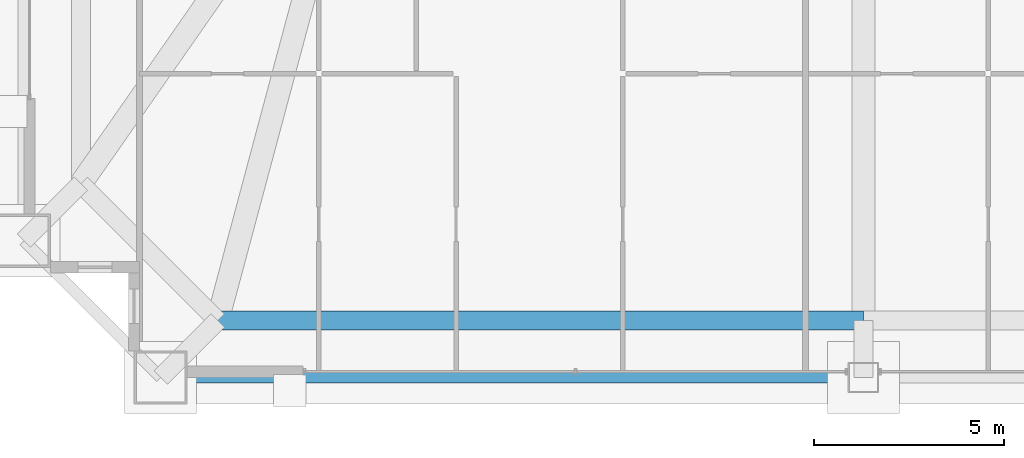
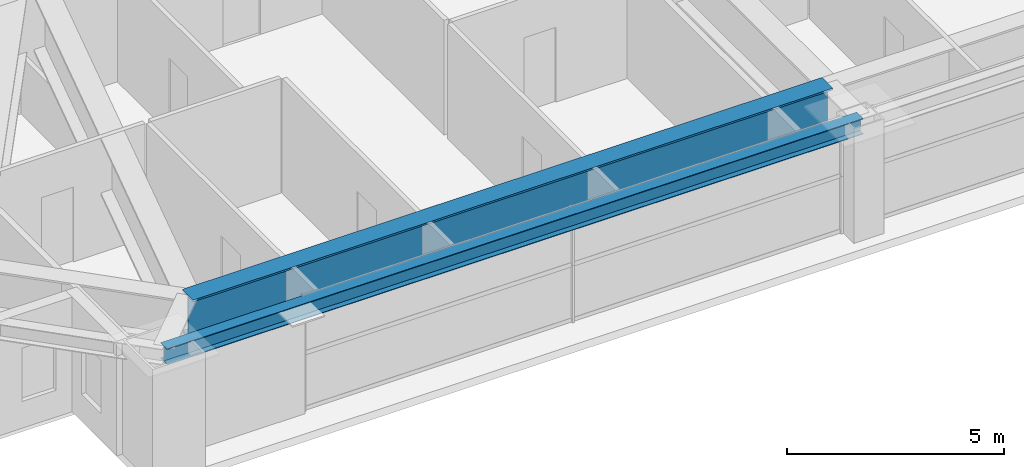
# One storey, part 5 of 39: 2 beams.
"""IFC4 building model written with IfcOpenShell, lengths in metres."""

from ifc_helpers import new_model, si_unit, direction, frame, origin, origin_2d, place, context, subcontext, project, spatial, i_section, extrude, source, transform, mapped, material, material_profile, profile_set, type_object, element, save


model = new_model("IFC4")

# Units and contexts
model_context = context("Model", 3, precision=1e-05, world=origin(), true_north=direction((0.0, 1.0)))
body_context = subcontext(model_context, "Body", "Model", "MODEL_VIEW")
ifc_project = project(units=[si_unit("LENGTHUNIT", "METRE"), si_unit("AREAUNIT", "SQUARE_METRE"), si_unit("VOLUMEUNIT", "CUBIC_METRE"), si_unit("PLANEANGLEUNIT", "RADIAN"), si_unit("MASSUNIT", "GRAM", prefix="KILO"), si_unit("THERMODYNAMICTEMPERATUREUNIT", "KELVIN"), si_unit("POWERUNIT", "WATT")], contexts=[model_context])

# Site, building, storey
site_placement = place(None, origin())
site = spatial("IfcSite", under=ifc_project, at=site_placement, CompositionType="ELEMENT")
building_placement = place(site_placement, origin())
building = spatial("IfcBuilding", under=site, at=building_placement, Name="Yuzanri Waterfront Tower", CompositionType="ELEMENT")
storey_placement = place(building_placement, frame((0.0, 0.0, 216.0)))
storey = spatial("IfcBuildingStorey", under=building, at=storey_placement, Name="L57", CompositionType="ELEMENT", Elevation=216.0)

# Beams
ifc_material_1 = material(Name="Steel Q355B", Category="steel")
ifc_material_profile_1 = material_profile(ifc_material_1, i_section(OverallWidth=0.300048828125, OverallDepth=0.43994140625, WebThickness=0.010986328125, FlangeThickness=0.01806640625, at=origin_2d()), Name="HM 440x300x11x18")
ifc_profile_set_1 = profile_set([ifc_material_profile_1], Name="Steel Q355B")
beam_type_1 = type_object("IfcBeamType", Name="Perimeter Spandrel Q355B HM 440x300", PredefinedType="SPANDREL", material=ifc_profile_set_1)
shared_shape_1 = source(origin(), body_context, "Body", "SweptSolid", [
    extrude(i_section(OverallWidth=0.300048828125, OverallDepth=0.43994140625, WebThickness=0.010986328125, FlangeThickness=0.01806640625, at=origin_2d()), origin(), (0.0, 0.0, 1.0), 18.5),
])
beam_1_placement = place(storey_placement, frame((18.5, 3.699951171875, 3.0), z_axis=(1.0, 0.0, 0.0), x_axis=(0.0, 1.0, 0.0)))
element("IfcBeam", 1, at=beam_1_placement, inside=storey, type_object=beam_type_1, Name="L57 Perimeter Spandrel S1-S2", PredefinedType="SPANDREL", context=body_context, shape_type="MappedRepresentation", body=[
    mapped(shared_shape_1, transform((0.0, 0.0, 0.0), scale=1.0)),
])
ifc_material_2 = material(Name="Steel Q420GJC", Category="steel")
ifc_material_profile_2 = material_profile(ifc_material_2, i_section(OverallWidth=0.5, OverallDepth=1.199951171875, WebThickness=0.028076171875, FlangeThickness=0.050048828125, at=origin_2d()), Name="PG 1200x500x28x50")
ifc_profile_set_2 = profile_set([ifc_material_profile_2], Name="Steel Q420GJC")
beam_type_2 = type_object("IfcBeamType", Name="Setback Transfer Girder Q420GJC PG 1200x500", PredefinedType="USERDEFINED", material=ifc_profile_set_2)
shared_shape_2 = source(origin(), body_context, "Body", "SweptSolid", [
    extrude(i_section(OverallWidth=0.5, OverallDepth=1.199951171875, WebThickness=0.028076171875, FlangeThickness=0.050048828125, at=origin_2d()), origin(), (0.0, 0.0, 1.0), 17.0),
])
beam_2_placement = place(storey_placement, frame((20.0, 5.199951171875, 2.6201171875), z_axis=(1.0, 0.0, 0.0), x_axis=(0.0, 1.0, 0.0)))
element("IfcBeam", 2, at=beam_2_placement, inside=storey, type_object=beam_type_2, Name="L57 Setback Upper Ring S1-S2", ObjectType="GIRDER", PredefinedType="USERDEFINED", context=body_context, shape_type="MappedRepresentation", body=[
    mapped(shared_shape_2, transform((0.0, 0.0, 0.0), scale=1.0)),
])

save(model, "model.ifc")
